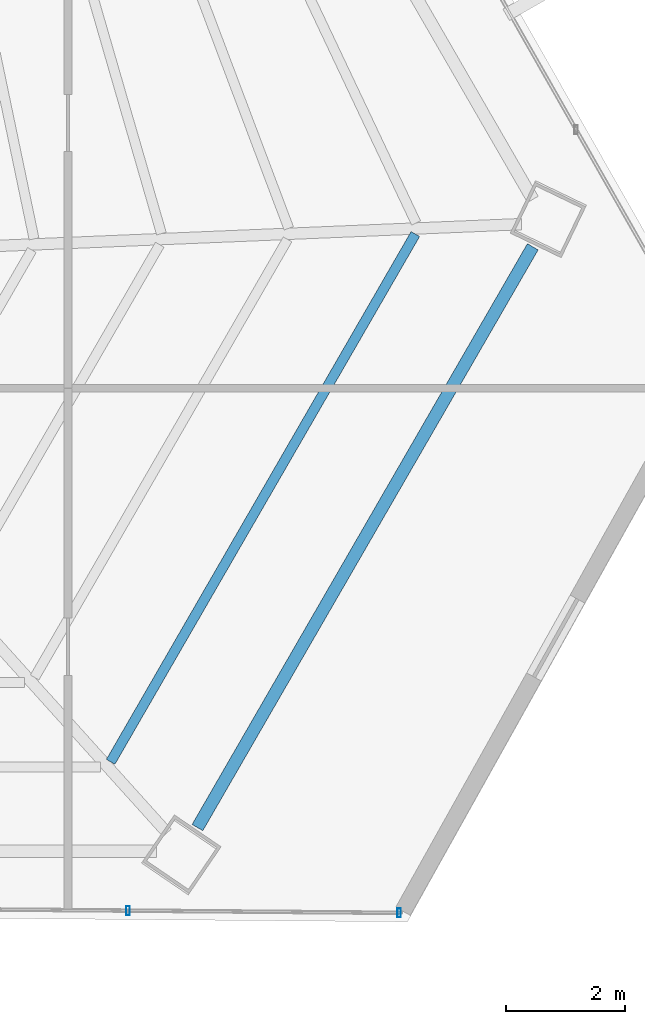
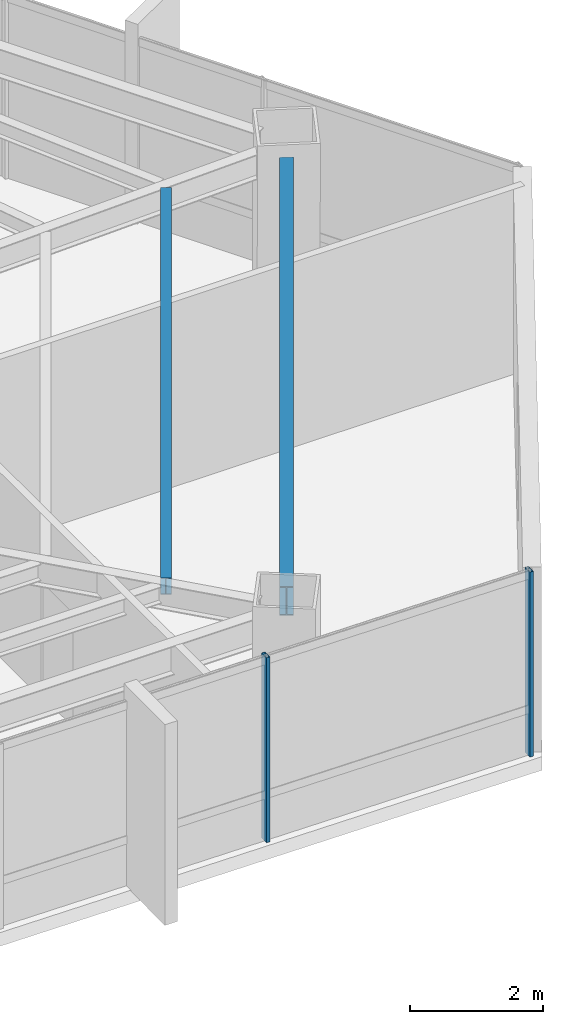
# One storey, part 19 of 38: 2 beams, 2 members, 1 element without a shape of its own.
"""IFC4 building model written with IfcOpenShell, lengths in metres."""

from ifc_helpers import new_model, si_unit, direction, frame, origin, origin_2d, place, context, subcontext, project, spatial, hollow_rectangle, i_section, extrude, source, transform, mapped, material, material_profile, profile_set, type_object, type_shapes, element, aggregate, save


model = new_model("IFC4")

# Units and contexts
model_context = context("Model", 3, precision=1e-05, world=origin(), true_north=direction((0.0, 1.0)))
body_context = subcontext(model_context, "Body", "Model", "MODEL_VIEW")
ifc_project = project(units=[si_unit("LENGTHUNIT", "METRE"), si_unit("AREAUNIT", "SQUARE_METRE"), si_unit("VOLUMEUNIT", "CUBIC_METRE"), si_unit("PLANEANGLEUNIT", "RADIAN"), si_unit("MASSUNIT", "GRAM", prefix="KILO")], contexts=[model_context])

# Site, building, storey
site_placement = place(None, origin())
site = spatial("IfcSite", under=ifc_project, at=site_placement, CompositionType="ELEMENT")
building_placement = place(site_placement, origin())
building = spatial("IfcBuilding", under=site, at=building_placement, Name="Caelisora Broadcast Tower", CompositionType="ELEMENT")
storey_placement = place(building_placement, frame((0.0, 0.0, 158.5)))
storey = spatial("IfcBuildingStorey", under=building, at=storey_placement, Name="L41", CompositionType="ELEMENT", Elevation=158.5)

# Beams
ifc_material_1 = material(Name="Steel Grade 350 (AS/NZS 3679.1)", Category="steel")
ifc_material_profile_1 = material_profile(ifc_material_1, i_section(OverallWidth=0.208984375, OverallDepth=0.532958984375, WebThickness=0.01025390625, FlangeThickness=0.015625, at=origin_2d()), Name="Steel Grade 350 (AS/NZS 3679.1)")
ifc_profile_set_1 = profile_set([ifc_material_profile_1], Name="Steel Grade 350 (AS/NZS 3679.1)")
beam_type_1 = type_object("IfcBeamType", Name="PG05", PredefinedType="BEAM", material=ifc_profile_set_1)
shared_shape_1 = source(origin(), body_context, "Body", "SweptSolid", [
    extrude(i_section(OverallWidth=0.208984375, OverallDepth=0.532958984375, WebThickness=0.01025390625, FlangeThickness=0.015625, at=origin_2d()), origin(), (0.0, 0.0, 1.0), 11.274658203125),
])
type_shapes(beam_type_1, [shared_shape_1])
beam_1_placement = place(storey_placement, frame((54.674560546875, 7.863525390625, 3.133544921875), z_axis=(0.500007362277, 0.86602115313, 0.0), x_axis=(-0.86602115313, 0.500007362277, 0.0)))
element("IfcBeam", 1, at=beam_1_placement, inside=storey, type_object=beam_type_1, Name="L41 beam PG05", PredefinedType="BEAM", context=body_context, shape_type="MappedRepresentation", body=[
    mapped(shared_shape_1, transform((0.0, 0.0, 0.0), scale=1.0)),
])
ifc_material_profile_2 = material_profile(ifc_material_1, i_section(OverallWidth=0.166015625, OverallDepth=0.30712890625, WebThickness=0.006591796875, FlangeThickness=0.01171875, at=origin_2d()), Name="Steel Grade 350 (AS/NZS 3679.1)")
ifc_profile_set_2 = profile_set([ifc_material_profile_2], Name="Steel Grade 350 (AS/NZS 3679.1)")
beam_type_2 = type_object("IfcBeamType", Name="SB03", PredefinedType="JOIST", material=ifc_profile_set_2)
shared_shape_2 = source(origin(), body_context, "Body", "SweptSolid", [
    extrude(i_section(OverallWidth=0.166015625, OverallDepth=0.30712890625, WebThickness=0.006591796875, FlangeThickness=0.01171875, at=origin_2d()), origin(), (0.0, 0.0, 1.0), 10.2451171875),
])
type_shapes(beam_type_2, [shared_shape_2])
beam_2_placement = place(storey_placement, frame((53.21533203125, 8.96875, 3.246337890625), z_axis=(0.499998865407, 0.866026058841, 0.0), x_axis=(-0.866026058841, 0.499998865407, 0.0)))
element("IfcBeam", 2, at=beam_2_placement, inside=storey, type_object=beam_type_2, Name="L41 beam SB03", PredefinedType="JOIST", context=body_context, shape_type="MappedRepresentation", body=[
    mapped(shared_shape_2, transform((0.0, 0.0, 0.0), scale=1.0)),
])

# Curtain wall, members
ifc_material_2 = material(Name="Unitised Aluminium and Low-E Glass Curtain Wall", Category="glass")
curtain_wall_type = type_object("IfcCurtainWallType", Name="CW-Z3", PredefinedType="NOTDEFINED", material=ifc_material_2)
curtain_wall_placement = place(storey_placement, origin())
curtain_wall = element("IfcCurtainWall", 3, at=curtain_wall_placement, inside=storey, type_object=curtain_wall_type, Name="L41 curtain wall CW-Z3", PredefinedType="NOTDEFINED")
ifc_material_3 = material(Name="Aluminium 6063-T6 Anodised Terracotta Bronze", Category="aluminium")
ifc_material_profile_3 = material_profile(ifc_material_3, hollow_rectangle(XDim=0.06005859375, YDim=0.14990234375, WallThickness=0.00341796875, at=origin_2d()), Name="Aluminium 6063-T6 Anodised Terracotta Bronze")
ifc_profile_set_3 = profile_set([ifc_material_profile_3], Name="Aluminium 6063-T6 Anodised Terracotta Bronze")
member_type = type_object("IfcMemberType", Name="CWM-03", PredefinedType="MULLION", material=ifc_profile_set_3)
shared_shape_3 = source(origin(), body_context, "Body", "SweptSolid", [
    extrude(hollow_rectangle(XDim=0.06005859375, YDim=0.14990234375, WallThickness=0.00341796875, at=origin_2d()), origin(), (0.0, 0.0, 1.0), 3.39990234375),
])
type_shapes(member_type, [shared_shape_3])
member_1_placement = place(storey_placement, frame((58.06591796875, 6.430419921875, 0.0), z_axis=(0.0, 0.0, 1.0), x_axis=(1.0, 0.0, 0.0)))
member_1 = element("IfcMember", 4, at=member_1_placement, type_object=member_type, Name="L41-CW-B05 mullion #0", PredefinedType="MULLION", context=body_context, shape_type="MappedRepresentation", body=[
    mapped(shared_shape_3, transform((0.0, 0.0, 0.0), scale=1.0)),
])
member_2_placement = place(storey_placement, frame((53.506591796875, 6.46826171875, 0.0), z_axis=(0.0, 0.0, 1.0), x_axis=(1.0, 0.0, 0.0)))
member_2 = element("IfcMember", 5, at=member_2_placement, type_object=member_type, Name="L41-CW-B05 mullion #1", PredefinedType="MULLION", context=body_context, shape_type="MappedRepresentation", body=[
    mapped(shared_shape_3, transform((0.0, 0.0, 0.0), scale=1.0)),
])
aggregate(curtain_wall, [member_1, member_2])

save(model, "model.ifc")
